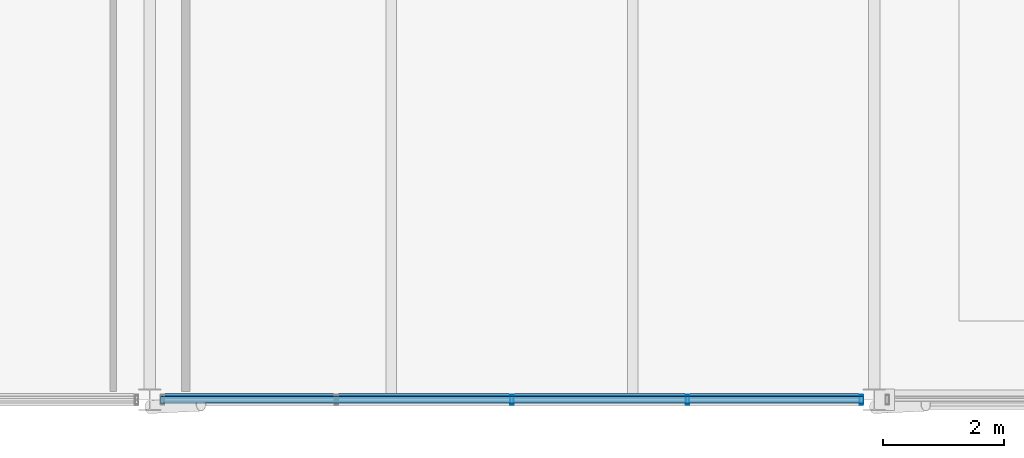
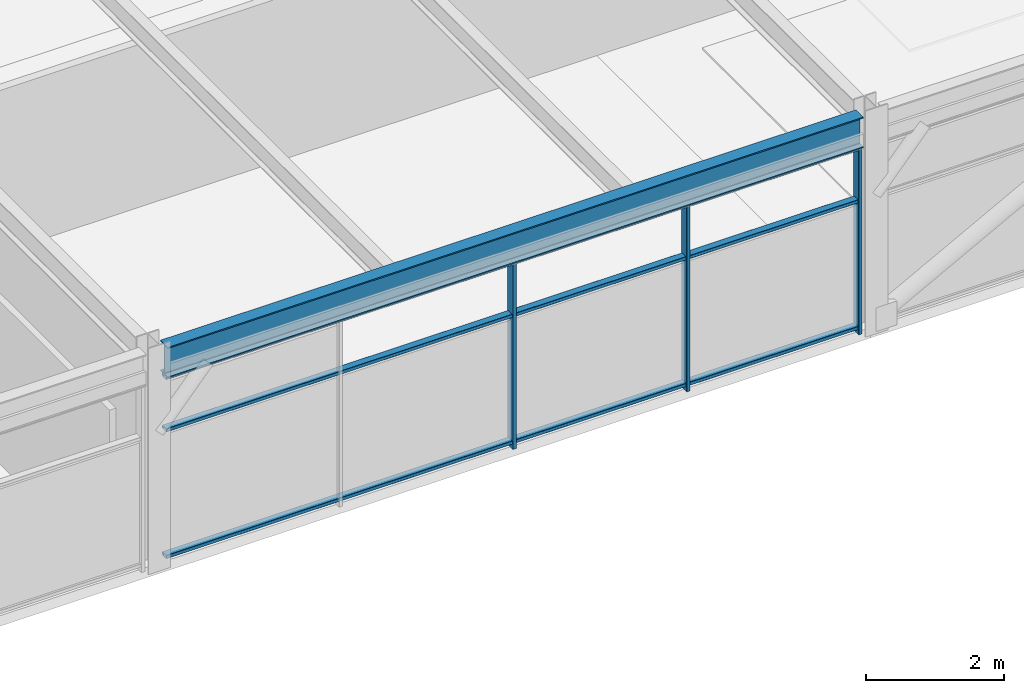
# One storey, part 25 of 40: 6 members, 1 beam, 1 element without a shape of its own.
"""IFC4 building model written with IfcOpenShell, lengths in metres."""

from ifc_helpers import new_model, si_unit, direction, frame, origin, origin_2d, place, context, subcontext, project, spatial, hollow_rectangle, i_section, extrude, material, material_profile, profile_set, type_object, element, aggregate, save


model = new_model("IFC4")

# Units and contexts
model_context = context("Model", 3, precision=1e-05, world=origin(), true_north=direction((0.0, 1.0)))
body_context = subcontext(model_context, "Body", "Model", "MODEL_VIEW")
ifc_project = project(units=[si_unit("LENGTHUNIT", "METRE"), si_unit("AREAUNIT", "SQUARE_METRE"), si_unit("VOLUMEUNIT", "CUBIC_METRE"), si_unit("PLANEANGLEUNIT", "RADIAN"), si_unit("MASSUNIT", "GRAM", prefix="KILO")], contexts=[model_context])

# Site, building, storey
site_placement = place(None, origin())
site = spatial("IfcSite", under=ifc_project, at=site_placement, CompositionType="ELEMENT")
building_placement = place(site_placement, origin())
building = spatial("IfcBuilding", under=site, at=building_placement, Name="Girod Span Mobility Hub", CompositionType="ELEMENT")
storey_placement = place(building_placement, frame((0.0, 0.0, 57.60009765625)))
storey = spatial("IfcBuildingStorey", under=building, at=storey_placement, Name="L14", CompositionType="ELEMENT", Elevation=57.60009765625)

# Beam
ifc_material_1 = material(Name="Steel A992 Grade 50", Category="steel")
ifc_material_profile_1 = material_profile(ifc_material_1, i_section(OverallWidth=0.2119140625, OverallDepth=0.5439453125, WebThickness=0.01318359375, FlangeThickness=0.021240234375, FilletRadius=0.014892578125, at=origin_2d()), Name="W21X83")
ifc_profile_set_1 = profile_set([ifc_material_profile_1], Name="Steel A992 Grade 50")
beam_type = type_object("IfcBeamType", Name="BM-STL-W21X83", PredefinedType="SPANDREL", material=ifc_profile_set_1)
beam_placement = place(storey_placement, frame((96.181396484375, 45.0, 3.577880859375), z_axis=(1.0, 0.0, 0.0), x_axis=(0.0, 1.0, 0.0)))
element("IfcBeam", 1, at=beam_placement, inside=storey, type_object=beam_type, Name="Girder 9-10/D L14", PredefinedType="SPANDREL", context=body_context, shape_type="SweptSolid", body=[
    extrude(i_section(OverallWidth=0.2119140625, OverallDepth=0.5439453125, WebThickness=0.01318359375, FlangeThickness=0.021240234375, FilletRadius=0.014892578125, at=origin_2d()), origin(), (0.0, 0.0, 1.0), 11.63720703125),
])

# Curtain wall, members
ifc_material_2 = material(Name="Thermally Broken Anodised Aluminium", Category="aluminium")
curtain_wall_type = type_object("IfcCurtainWallType", Name="CW-1164X331", PredefinedType="USERDEFINED", material=ifc_material_2)
curtain_wall_placement = place(storey_placement, origin())
curtain_wall = element("IfcCurtainWall", 2, at=curtain_wall_placement, inside=storey, type_object=curtain_wall_type, Name="Unitised Curtain Wall CW-L14-S09 L14", ObjectType="UNITISED CURTAIN WALL", PredefinedType="USERDEFINED")
ifc_material_3 = material(Name="Thermally Broken Anodised Aluminium", Category="aluminium")
ifc_material_profile_2 = material_profile(ifc_material_3, hollow_rectangle(XDim=0.159912109375, YDim=0.06005859375, WallThickness=0.00341796875, InnerFilletRadius=0.00341796875, OuterFilletRadius=0.007080078125, at=origin_2d()), Name="CW-ML-60X160")
ifc_profile_set_2 = profile_set([ifc_material_profile_2], Name="Thermally Broken Anodised Aluminium")
member_type_1 = type_object("IfcMemberType", Name="CWM-ML-3", PredefinedType="MULLION", material=ifc_profile_set_2)
member_1_placement = place(storey_placement, frame((102.0, 45.0, 0.0), z_axis=(0.0, 0.0, 1.0), x_axis=(0.0, 1.0, 0.0)))
member_1 = element("IfcMember", 3, at=member_1_placement, type_object=member_type_1, Name="Curtain Wall Mullion CW-L14-S09-M2", PredefinedType="MULLION", context=body_context, shape_type="SweptSolid", body=[
    extrude(hollow_rectangle(XDim=0.159912109375, YDim=0.06005859375, WallThickness=0.00341796875, InnerFilletRadius=0.00341796875, OuterFilletRadius=0.007080078125, at=origin_2d()), origin(), (0.0, 0.0, 1.0), 3.305908203125),
])
member_2_placement = place(storey_placement, frame((104.90869140625, 45.0, 0.0), z_axis=(0.0, 0.0, 1.0), x_axis=(0.0, 1.0, 0.0)))
member_2 = element("IfcMember", 4, at=member_2_placement, type_object=member_type_1, Name="Curtain Wall Mullion CW-L14-S09-M3", PredefinedType="MULLION", context=body_context, shape_type="SweptSolid", body=[
    extrude(hollow_rectangle(XDim=0.159912109375, YDim=0.06005859375, WallThickness=0.00341796875, InnerFilletRadius=0.00341796875, OuterFilletRadius=0.007080078125, at=origin_2d()), origin(), (0.0, 0.0, 1.0), 3.305908203125),
])
member_3_placement = place(storey_placement, frame((107.785400390625, 45.0, 0.0), z_axis=(0.0, 0.0, 1.0), x_axis=(0.0, 1.0, 0.0)))
member_3 = element("IfcMember", 5, at=member_3_placement, type_object=member_type_1, Name="Curtain Wall Mullion CW-L14-S09-M4", PredefinedType="MULLION", context=body_context, shape_type="SweptSolid", body=[
    extrude(hollow_rectangle(XDim=0.159912109375, YDim=0.06005859375, WallThickness=0.00341796875, InnerFilletRadius=0.00341796875, OuterFilletRadius=0.007080078125, at=origin_2d()), origin(), (0.0, 0.0, 1.0), 3.305908203125),
])
ifc_material_4 = material(Name="Thermally Broken Anodised Aluminium", Category="aluminium")
ifc_material_profile_3 = material_profile(ifc_material_4, hollow_rectangle(XDim=0.1201171875, YDim=0.06005859375, WallThickness=0.00341796875, InnerFilletRadius=0.00341796875, OuterFilletRadius=0.007080078125, at=origin_2d()), Name="CW-TR-60X120")
ifc_profile_set_3 = profile_set([ifc_material_profile_3], Name="Thermally Broken Anodised Aluminium")
member_type_2 = type_object("IfcMemberType", Name="CWM-TR-3", PredefinedType="USERDEFINED", material=ifc_profile_set_3)
member_4_placement = place(storey_placement, frame((96.1826171875, 45.0, 0.10986328125), z_axis=(1.0, 0.0, 0.0), x_axis=(0.0, 1.0, 0.0)))
member_4 = element("IfcMember", 6, at=member_4_placement, type_object=member_type_2, Name="Curtain Wall Transom CW-L14-S09-T1", ObjectType="TRANSOM", PredefinedType="USERDEFINED", context=body_context, shape_type="SweptSolid", body=[
    extrude(hollow_rectangle(XDim=0.1201171875, YDim=0.06005859375, WallThickness=0.00341796875, InnerFilletRadius=0.00341796875, OuterFilletRadius=0.007080078125, at=origin_2d()), origin(), (0.0, 0.0, 1.0), 11.634765625),
])
member_5_placement = place(storey_placement, frame((96.1826171875, 45.0, 2.35009765625), z_axis=(1.0, 0.0, 0.0), x_axis=(0.0, 1.0, 0.0)))
member_5 = element("IfcMember", 7, at=member_5_placement, type_object=member_type_2, Name="Curtain Wall Transom CW-L14-S09-T2", ObjectType="TRANSOM", PredefinedType="USERDEFINED", context=body_context, shape_type="SweptSolid", body=[
    extrude(hollow_rectangle(XDim=0.1201171875, YDim=0.06005859375, WallThickness=0.00341796875, InnerFilletRadius=0.00341796875, OuterFilletRadius=0.007080078125, at=origin_2d()), origin(), (0.0, 0.0, 1.0), 11.634765625),
])
member_6_placement = place(storey_placement, frame((96.1826171875, 45.0, 3.27587890625), z_axis=(1.0, 0.0, 0.0), x_axis=(0.0, 1.0, 0.0)))
member_6 = element("IfcMember", 8, at=member_6_placement, type_object=member_type_2, Name="Curtain Wall Transom CW-L14-S09-T3", ObjectType="TRANSOM", PredefinedType="USERDEFINED", context=body_context, shape_type="SweptSolid", body=[
    extrude(hollow_rectangle(XDim=0.1201171875, YDim=0.06005859375, WallThickness=0.00341796875, InnerFilletRadius=0.00341796875, OuterFilletRadius=0.007080078125, at=origin_2d()), origin(), (0.0, 0.0, 1.0), 11.634765625),
])
aggregate(curtain_wall, [member_1, member_2, member_3, member_4, member_5, member_6])

save(model, "model.ifc")
